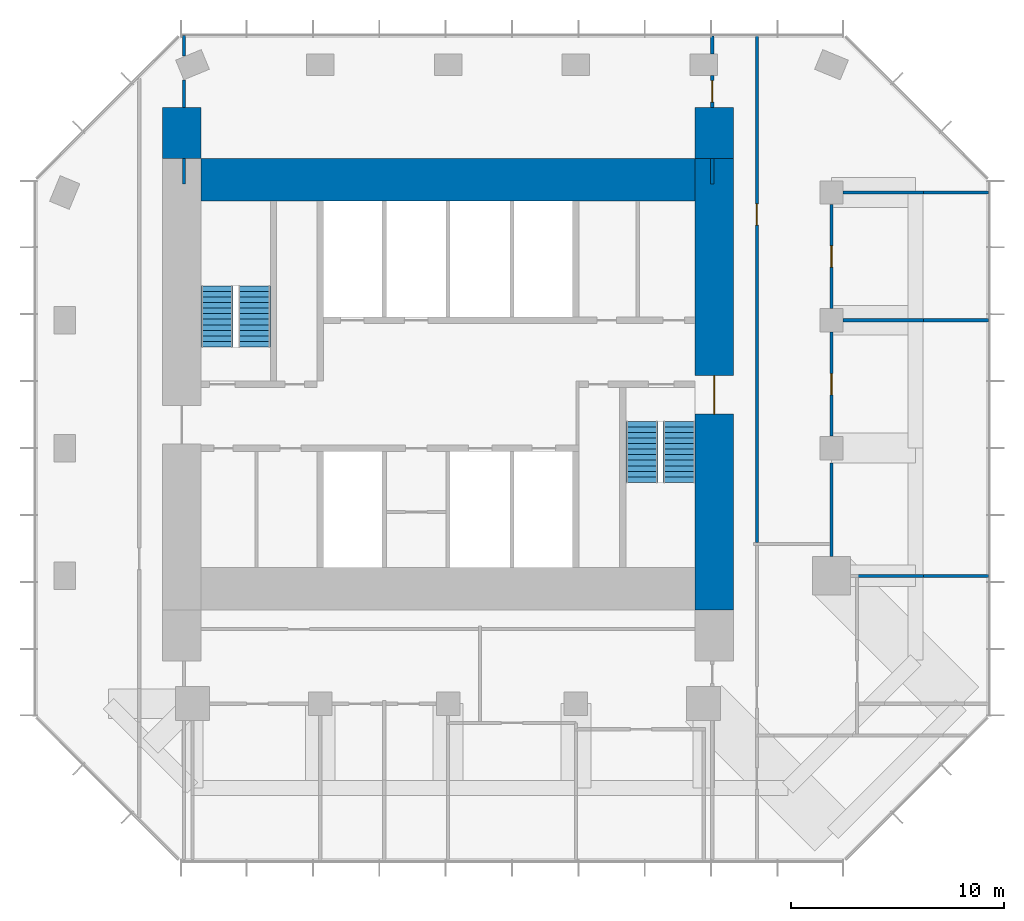
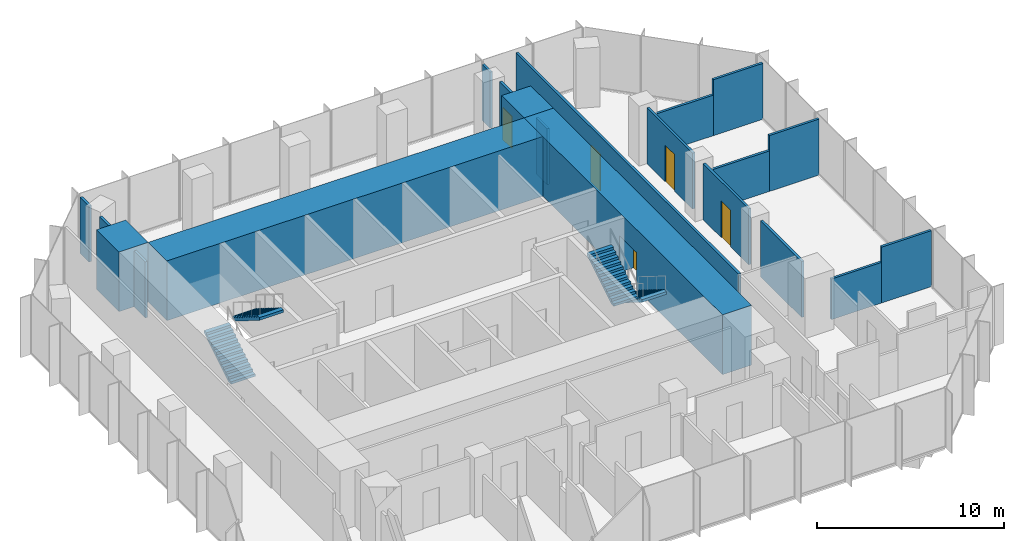
# One storey, part 10 of 11: 20 walls, 5 doors, 4 stair flights, 5 openings, 2 elements without a shape of their own.
"""IFC4 building model written with IfcOpenShell, lengths in metres."""

from ifc_helpers import new_model, si_unit, direction, frame, frame_2d, origin, place, context, subcontext, project, spatial, polyline, rectangle, outline, extrude, material, layer, layer_set, type_object, element, fill, aggregate, save


model = new_model("IFC4")

# Units and contexts
model_context = context("Model", 3, precision=1e-05, world=origin(), true_north=direction((0.0, 1.0)))
body_context = subcontext(model_context, "Body", "Model", "MODEL_VIEW")
ifc_project = project(units=[si_unit("LENGTHUNIT", "METRE"), si_unit("AREAUNIT", "SQUARE_METRE"), si_unit("VOLUMEUNIT", "CUBIC_METRE"), si_unit("PLANEANGLEUNIT", "RADIAN"), si_unit("MASSUNIT", "GRAM", prefix="KILO")], contexts=[model_context])

# Site, building, storey
site_placement = place(None, origin())
site = spatial("IfcSite", under=ifc_project, at=site_placement, CompositionType="ELEMENT")
building_placement = place(site_placement, origin())
building = spatial("IfcBuilding", under=site, at=building_placement, Name="Highveld Stack Headquarters", CompositionType="ELEMENT")
storey_placement = place(building_placement, frame((0.0, 0.0, 276.199951171875)))
storey = spatial("IfcBuildingStorey", under=building, at=storey_placement, Name="L68", CompositionType="ELEMENT", Elevation=276.199951171875)

# Wall, opening, door
ifc_material_1 = material(Name="Concrete C60/75", Category="concrete")
ifc_layer_1 = layer(ifc_material_1, 1.800048828125)
ifc_layer_set_1 = layer_set([ifc_layer_1], Name="Concrete C60/75")
wall_type_1 = type_object("IfcWallType", Name="CORE WALL 1800 C60/75", PredefinedType="SHEAR", material=ifc_layer_set_1)
wall_1_placement = place(storey_placement, frame((18.5, -7.60009765625, 0.0), z_axis=(0.0, 0.0, 1.0), x_axis=(0.0, 1.0, 0.0)))
wall_1 = element("IfcWall", 1, at=wall_1_placement, inside=storey, type_object=wall_type_1, Name="Core wall E L68", PredefinedType="SHEAR", context=body_context, shape_type="SweptSolid", body=[
    extrude(rectangle(XDim=21.2001953125, YDim=1.800048828125, at=frame_2d((10.60009765625, 0.0))), origin(), (0.0, 0.0, 1.0), 3.900146484375),
])
opening_1_placement = place(wall_1_placement, frame((9.199951171875, 0.0, 0.0)))
opening_1 = element("IfcOpeningElement", 2, at=opening_1_placement, cuts=wall_1, Name="Opening L68-02", PredefinedType="OPENING", context=body_context, shape_type="SweptSolid", body=[
    extrude(rectangle(XDim=1.800048828125, YDim=2.39990234375, at=frame_2d((0.89990234375, 1.199951171875))), frame((0.0, 0.909912109375, 0.0), z_axis=(0.0, -1.0, 0.0), x_axis=(1.0, 0.0, 0.0)), (0.0, 0.0, 1.0), 1.820068359375),
])
ifc_material_2 = material(Name="Steel fire door", Category="steel")
door_type_1 = type_object("IfcDoorType", Name="LOBBY FIRE DOOR D4 1800x2400", OperationType="DOUBLE_DOOR_SINGLE_SWING", PredefinedType="DOOR", material=ifc_material_2)
door_1_placement = place(opening_1_placement, origin())
door_1 = element("IfcDoor", 3, at=door_1_placement, inside=storey, type_object=door_type_1, Name="Core east door L68", OperationType="DOUBLE_DOOR_SINGLE_SWING", OverallHeight=2.39990234375, OverallWidth=1.800048828125, PredefinedType="DOOR", context=body_context, shape_type="SweptSolid", body=[
    extrude(rectangle(XDim=1.800048828125, YDim=2.39990234375, at=frame_2d((0.89990234375, 1.199951171875))), frame((0.0, 0.02490234375, 0.0), z_axis=(0.0, -1.0, 0.0), x_axis=(1.0, 0.0, 0.0)), (0.0, 0.0, 1.0), 0.050048828125),
])
fill(opening_1, door_1)

# Walls
ifc_material_3 = material(Name="Concrete C60/75", Category="concrete")
ifc_layer_2 = layer(ifc_material_3, 2.0)
ifc_layer_set_2 = layer_set([ifc_layer_2], Name="Concrete C60/75")
wall_type_2 = type_object("IfcWallType", Name="CORE WALL 2000 C60/75", PredefinedType="SHEAR", material=ifc_layer_set_2)
wall_2_placement = place(storey_placement, frame((-5.60009765625, 12.60009765625, 0.0), z_axis=(0.0, 0.0, 1.0), x_axis=(1.0, 0.0, 0.0)))
element("IfcWall", 4, at=wall_2_placement, inside=storey, type_object=wall_type_2, Name="Core wall N L68", PredefinedType="SHEAR", context=body_context, shape_type="SweptSolid", body=[
    extrude(rectangle(XDim=23.2001953125, YDim=2.0, at=frame_2d((11.60009765625, 0.0))), origin(), (0.0, 0.0, 1.0), 3.900146484375),
])
ifc_material_4 = material(Name="Concrete C60/75", Category="concrete")
ifc_layer_3 = layer(ifc_material_4, 1.800048828125)
ifc_layer_set_3 = layer_set([ifc_layer_3], Name="Concrete C60/75")
wall_type_3 = type_object("IfcWallType", Name="CORE WING WALL 1800 C60/75", PredefinedType="SHEAR", material=ifc_layer_set_3)
for number, where, z_axis, x_axis, name in (
    (5, (-6.5, 13.60009765625, 0.0), (0.0, 0.0, 1.0), (0.0, 1.0, 0.0), "Core wing wall WN L68"),
    (6, (18.5, 13.60009765625, 0.0), (0.0, 0.0, 1.0), (0.0, 1.0, 0.0), "Core wing wall EN L68"),
):
    element("IfcWall", number, at=place(storey_placement, frame(where, z_axis=z_axis, x_axis=x_axis)), inside=storey, type_object=wall_type_3, Name=name, PredefinedType="SHEAR", context=body_context, shape_type="SweptSolid", body=[
        extrude(rectangle(XDim=2.39990234375, YDim=1.800048828125, at=frame_2d((1.199951171875, 0.0))), origin(), (0.0, 0.0, 1.0), 3.900146484375),
    ])
ifc_material_5 = material(Name="Laminated glass in aluminium frame", Category="aluminium")
ifc_layer_4 = layer(ifc_material_5, 0.14990234375)
ifc_layer_set_4 = layer_set([ifc_layer_4], Name="Laminated glass in aluminium frame")
wall_type_4 = type_object("IfcWallType", Name="GLAZED PARTITION 150", PredefinedType="PARTITIONING", material=ifc_layer_set_4)
wall_3_placement = place(storey_placement, frame((24.0, -5.10009765625, 0.0), z_axis=(0.0, 0.0, 1.0), x_axis=(0.0, 1.0, 0.0)))
element("IfcWall", 7, at=wall_3_placement, inside=storey, type_object=wall_type_4, Name="Glazed partition Executive meeting room L68", PredefinedType="PARTITIONING", context=body_context, shape_type="SweptSolid", body=[
    extrude(rectangle(XDim=4.39013671875, YDim=0.14990234375, at=frame_2d((2.195068359375, 0.0))), origin(), (0.0, 0.0, 1.0), 3.650146484375),
])

# Wall, opening, door
wall_4_placement = place(storey_placement, frame((24.0, 0.56005859375, 0.0), z_axis=(0.0, 0.0, 1.0), x_axis=(0.0, 1.0, 0.0)))
wall_4 = element("IfcWall", 8, at=wall_4_placement, inside=storey, type_object=wall_type_4, Name="Glazed partition Executive meeting room L68", PredefinedType="PARTITIONING", context=body_context, shape_type="SweptSolid", body=[
    extrude(rectangle(XDim=4.8798828125, YDim=0.14990234375, at=frame_2d((2.43994140625, 0.0))), origin(), (0.0, 0.0, 1.0), 3.650146484375),
])
opening_2_placement = place(wall_4_placement, frame((1.93994140625, 0.0, 0.0)))
opening_2 = element("IfcOpeningElement", 9, at=opening_2_placement, cuts=wall_4, Name="Opening L68-19", PredefinedType="OPENING", context=body_context, shape_type="SweptSolid", body=[
    extrude(rectangle(XDim=1.0, YDim=2.39990234375, at=frame_2d((0.5, 1.199951171875))), frame((0.0, 0.0849609375, 0.0), z_axis=(0.0, -1.0, 0.0), x_axis=(1.0, 0.0, 0.0)), (0.0, 0.0, 1.0), 0.169921875),
])
ifc_material_6 = material(Name="Timber door, oiled ash", Category="wood")
door_type_2 = type_object("IfcDoorType", Name="ROOM DOOR D11 1000x2400", OperationType="SINGLE_SWING_LEFT", PredefinedType="DOOR", material=ifc_material_6)
door_2_placement = place(opening_2_placement, origin())
door_2 = element("IfcDoor", 10, at=door_2_placement, inside=storey, type_object=door_type_2, Name="Executive meeting room door 1 L68", OperationType="SINGLE_SWING_RIGHT", OverallHeight=2.39990234375, OverallWidth=1.0, PredefinedType="DOOR", context=body_context, shape_type="SweptSolid", body=[
    extrude(rectangle(XDim=1.0, YDim=2.39990234375, at=frame_2d((0.5, 1.199951171875))), frame((0.0, 0.02490234375, 0.0), z_axis=(0.0, -1.0, 0.0), x_axis=(1.0, 0.0, 0.0)), (0.0, 0.0, 1.0), 0.050048828125),
])
fill(opening_2, door_2)

# Walls
ifc_material_7 = material(Name="Gypsum plasterboard on steel studs", Category="steel")
ifc_layer_5 = layer(ifc_material_7, 0.14990234375)
ifc_layer_set_5 = layer_set([ifc_layer_5], Name="Gypsum plasterboard on steel studs")
wall_type_5 = type_object("IfcWallType", Name="PARTITION 150 PLASTERBOARD", PredefinedType="PARTITIONING", material=ifc_layer_set_5)
wall_5_placement = place(storey_placement, frame((25.199951171875, -6.0, 0.0), z_axis=(0.0, 0.0, 1.0), x_axis=(1.0, 0.0, 0.0)))
element("IfcWall", 11, at=wall_5_placement, inside=storey, type_object=wall_type_5, Name="Partition Executive meeting room / Tea kitchen L68", PredefinedType="PARTITIONING", context=body_context, shape_type="SweptSolid", body=[
    extrude(rectangle(XDim=3.110107421875, YDim=0.14990234375, at=frame_2d((1.55517578125, 0.0))), origin(), (0.0, 0.0, 1.0), 2.650146484375),
])
wall_6_placement = place(storey_placement, frame((28.31005859375, -6.0, 0.0), z_axis=(0.0, 0.0, 1.0), x_axis=(1.0, 0.0, 0.0)))
element("IfcWall", 12, at=wall_6_placement, inside=storey, type_object=wall_type_5, Name="Partition Executive meeting room / Tea kitchen L68", PredefinedType="PARTITIONING", context=body_context, shape_type="SweptSolid", body=[
    extrude(rectangle(XDim=3.06494140625, YDim=0.14990234375, at=frame_2d((1.532470703125, 0.0))), origin(), (0.0, 0.0, 1.0), 3.650146484375),
])
wall_7_placement = place(storey_placement, frame((24.550048828125, 6.0, 0.0), z_axis=(0.0, 0.0, 1.0), x_axis=(1.0, 0.0, 0.0)))
element("IfcWall", 13, at=wall_7_placement, inside=storey, type_object=wall_type_5, Name="Partition Executive meeting room / Executive office L68", PredefinedType="PARTITIONING", context=body_context, shape_type="SweptSolid", body=[
    extrude(rectangle(XDim=3.760009765625, YDim=0.14990234375, at=frame_2d((1.8798828125, 0.0))), origin(), (0.0, 0.0, 1.0), 2.650146484375),
])
wall_8_placement = place(storey_placement, frame((28.31005859375, 6.0, 0.0), z_axis=(0.0, 0.0, 1.0), x_axis=(1.0, 0.0, 0.0)))
element("IfcWall", 14, at=wall_8_placement, inside=storey, type_object=wall_type_5, Name="Partition Executive meeting room / Executive office L68", PredefinedType="PARTITIONING", context=body_context, shape_type="SweptSolid", body=[
    extrude(rectangle(XDim=3.06494140625, YDim=0.14990234375, at=frame_2d((1.532470703125, 0.0))), origin(), (0.0, 0.0, 1.0), 3.650146484375),
])
wall_9_placement = place(storey_placement, frame((24.550048828125, 12.0, 0.0), z_axis=(0.0, 0.0, 1.0), x_axis=(1.0, 0.0, 0.0)))
element("IfcWall", 15, at=wall_9_placement, inside=storey, type_object=wall_type_5, Name="Partition Executive office L68", PredefinedType="PARTITIONING", context=body_context, shape_type="SweptSolid", body=[
    extrude(rectangle(XDim=3.760009765625, YDim=0.14990234375, at=frame_2d((1.8798828125, 0.0))), origin(), (0.0, 0.0, 1.0), 2.650146484375),
])
wall_10_placement = place(storey_placement, frame((28.31005859375, 12.0, 0.0), z_axis=(0.0, 0.0, 1.0), x_axis=(1.0, 0.0, 0.0)))
element("IfcWall", 16, at=wall_10_placement, inside=storey, type_object=wall_type_5, Name="Partition Executive office L68", PredefinedType="PARTITIONING", context=body_context, shape_type="SweptSolid", body=[
    extrude(rectangle(XDim=3.06494140625, YDim=0.14990234375, at=frame_2d((1.532470703125, 0.0))), origin(), (0.0, 0.0, 1.0), 3.650146484375),
])

# Wall, opening, door
wall_11_placement = place(storey_placement, frame((24.0, 6.56005859375, 0.0), z_axis=(0.0, 0.0, 1.0), x_axis=(0.0, 1.0, 0.0)))
wall_11 = element("IfcWall", 17, at=wall_11_placement, inside=storey, type_object=wall_type_5, Name="Partition Executive office L68", PredefinedType="PARTITIONING", context=body_context, shape_type="SweptSolid", body=[
    extrude(rectangle(XDim=4.8798828125, YDim=0.14990234375, at=frame_2d((2.43994140625, 0.0))), origin(), (0.0, 0.0, 1.0), 3.650146484375),
])
opening_3_placement = place(wall_11_placement, frame((1.93994140625, 0.0, 0.0)))
opening_3 = element("IfcOpeningElement", 18, at=opening_3_placement, cuts=wall_11, Name="Opening L68-20", PredefinedType="OPENING", context=body_context, shape_type="SweptSolid", body=[
    extrude(rectangle(XDim=1.0, YDim=2.39990234375, at=frame_2d((0.5, 1.199951171875))), frame((0.0, 0.0849609375, 0.0), z_axis=(0.0, -1.0, 0.0), x_axis=(1.0, 0.0, 0.0)), (0.0, 0.0, 1.0), 0.169921875),
])
door_3_placement = place(opening_3_placement, origin())
door_3 = element("IfcDoor", 19, at=door_3_placement, inside=storey, type_object=door_type_2, Name="Executive office door 1 L68", OperationType="SINGLE_SWING_LEFT", OverallHeight=2.39990234375, OverallWidth=1.0, PredefinedType="DOOR", context=body_context, shape_type="SweptSolid", body=[
    extrude(rectangle(XDim=1.0, YDim=2.39990234375, at=frame_2d((0.5, 1.199951171875))), frame((0.0, 0.02490234375, 0.0), z_axis=(0.0, -1.0, 0.0), x_axis=(1.0, 0.0, 0.0)), (0.0, 0.0, 1.0), 0.050048828125),
])
fill(opening_3, door_3)

# Walls
wall_12_placement = place(storey_placement, frame((-6.39990234375, 12.39990234375, 0.0), z_axis=(0.0, 0.0, 1.0), x_axis=(0.0, 1.0, 0.0)))
element("IfcWall", 20, at=wall_12_placement, inside=storey, type_object=wall_type_5, Name="Partition office neighbourhood L68", PredefinedType="PARTITIONING", context=body_context, shape_type="SweptSolid", body=[
    extrude(rectangle(XDim=1.2001953125, YDim=0.14990234375, at=frame_2d((0.60009765625, 0.0))), origin(), (0.0, 0.0, 1.0), 3.650146484375),
])
wall_13_placement = place(storey_placement, frame((-6.39990234375, 16.0, 0.0), z_axis=(0.0, 0.0, 1.0), x_axis=(0.0, 1.0, 0.0)))
element("IfcWall", 21, at=wall_13_placement, inside=storey, type_object=wall_type_5, Name="Partition office neighbourhood L68", PredefinedType="PARTITIONING", context=body_context, shape_type="SweptSolid", body=[
    extrude(rectangle(XDim=1.289306640625, YDim=0.14990234375, at=frame_2d((0.64453125, 0.0))), origin(), (0.0, 0.0, 1.0), 3.650146484375),
])
wall_14_placement = place(storey_placement, frame((-6.39990234375, 18.406494140625, 0.0), z_axis=(0.0, 0.0, 1.0), x_axis=(0.0, 1.0, 0.0)))
element("IfcWall", 22, at=wall_14_placement, inside=storey, type_object=wall_type_5, Name="Partition office neighbourhood L68", PredefinedType="PARTITIONING", context=body_context, shape_type="SweptSolid", body=[
    extrude(rectangle(XDim=0.968505859375, YDim=0.14990234375, at=frame_2d((0.484375, 0.0))), origin(), (0.0, 0.0, 1.0), 3.650146484375),
])
wall_15_placement = place(storey_placement, frame((18.39990234375, 12.39990234375, 0.0), z_axis=(0.0, 0.0, 1.0), x_axis=(0.0, 1.0, 0.0)))
element("IfcWall", 23, at=wall_15_placement, inside=storey, type_object=wall_type_5, Name="Partition office neighbourhood L68", PredefinedType="PARTITIONING", context=body_context, shape_type="SweptSolid", body=[
    extrude(rectangle(XDim=1.2001953125, YDim=0.14990234375, at=frame_2d((0.60009765625, 0.0))), origin(), (0.0, 0.0, 1.0), 3.650146484375),
])

# Wall, opening, door
wall_16_placement = place(storey_placement, frame((18.39990234375, 16.0, 0.0), z_axis=(0.0, 0.0, 1.0), x_axis=(0.0, 1.0, 0.0)))
wall_16 = element("IfcWall", 24, at=wall_16_placement, inside=storey, type_object=wall_type_5, Name="Partition office neighbourhood L68", PredefinedType="PARTITIONING", context=body_context, shape_type="SweptSolid", body=[
    extrude(rectangle(XDim=1.5, YDim=0.14990234375, at=frame_2d((0.75, 0.0))), origin(), (0.0, 0.0, 1.0), 3.650146484375),
])
opening_4_placement = place(wall_16_placement, frame((0.25, 0.0, 0.0)))
opening_4 = element("IfcOpeningElement", 25, at=opening_4_placement, cuts=wall_16, Name="Opening L68-25", PredefinedType="OPENING", context=body_context, shape_type="SweptSolid", body=[
    extrude(rectangle(XDim=1.0, YDim=2.10009765625, at=frame_2d((0.5, 1.050048828125))), frame((0.0, 0.0849609375, 0.0), z_axis=(0.0, -1.0, 0.0), x_axis=(1.0, 0.0, 0.0)), (0.0, 0.0, 1.0), 0.169921875),
])
ifc_material_8 = material(Name="Timber door, oiled ash", Category="wood")
door_type_3 = type_object("IfcDoorType", Name="ROOM DOOR D6 1000x2100", OperationType="SINGLE_SWING_LEFT", PredefinedType="DOOR", material=ifc_material_8)
door_4_placement = place(opening_4_placement, origin())
door_4 = element("IfcDoor", 26, at=door_4_placement, inside=storey, type_object=door_type_3, Name="Office neighbourhood door L68", OperationType="SINGLE_SWING_RIGHT", OverallHeight=2.10009765625, OverallWidth=1.0, PredefinedType="DOOR", context=body_context, shape_type="SweptSolid", body=[
    extrude(rectangle(XDim=1.0, YDim=2.10009765625, at=frame_2d((0.5, 1.050048828125))), frame((0.0, 0.02490234375, 0.0), z_axis=(0.0, -1.0, 0.0), x_axis=(1.0, 0.0, 0.0)), (0.0, 0.0, 1.0), 0.050048828125),
])
fill(opening_4, door_4)

# Wall
wall_17_placement = place(storey_placement, frame((18.39990234375, 18.5, 0.0), z_axis=(0.0, 0.0, 1.0), x_axis=(0.0, 1.0, 0.0)))
element("IfcWall", 27, at=wall_17_placement, inside=storey, type_object=wall_type_5, Name="Partition office neighbourhood L68", PredefinedType="PARTITIONING", context=body_context, shape_type="SweptSolid", body=[
    extrude(rectangle(XDim=0.85009765625, YDim=0.14990234375, at=frame_2d((0.425048828125, 0.0))), origin(), (0.0, 0.0, 1.0), 3.650146484375),
])

# Wall, opening, door
wall_18_placement = place(storey_placement, frame((20.5, -4.425048828125, 0.0), z_axis=(0.0, 0.0, 1.0), x_axis=(0.0, 1.0, 0.0)))
wall_18 = element("IfcWall", 28, at=wall_18_placement, inside=storey, type_object=wall_type_5, Name="Partition office neighbourhood L68", PredefinedType="PARTITIONING", context=body_context, shape_type="SweptSolid", body=[
    extrude(rectangle(XDim=23.800048828125, YDim=0.14990234375, at=frame_2d((11.89990234375, 0.0))), origin(), (0.0, 0.0, 1.0), 3.650146484375),
])
opening_5_placement = place(wall_18_placement, frame((14.89501953125, 0.0, 0.0)))
opening_5 = element("IfcOpeningElement", 29, at=opening_5_placement, cuts=wall_18, Name="Opening L68-24", PredefinedType="OPENING", context=body_context, shape_type="SweptSolid", body=[
    extrude(rectangle(XDim=1.0, YDim=2.39990234375, at=frame_2d((0.5, 1.199951171875))), frame((0.0, 0.0849609375, 0.0), z_axis=(0.0, -1.0, 0.0), x_axis=(1.0, 0.0, 0.0)), (0.0, 0.0, 1.0), 0.169921875),
])
door_5_placement = place(opening_5_placement, origin())
door_5 = element("IfcDoor", 30, at=door_5_placement, inside=storey, type_object=door_type_2, Name="Office neighbourhood door L68", OperationType="SINGLE_SWING_RIGHT", OverallHeight=2.39990234375, OverallWidth=1.0, PredefinedType="DOOR", context=body_context, shape_type="SweptSolid", body=[
    extrude(rectangle(XDim=1.0, YDim=2.39990234375, at=frame_2d((0.5, 1.199951171875))), frame((0.0, 0.02490234375, 0.0), z_axis=(0.0, -1.0, 0.0), x_axis=(1.0, 0.0, 0.0)), (0.0, 0.0, 1.0), 0.050048828125),
])
fill(opening_5, door_5)

# Stair, stair flights
ifc_material_9 = material(Name="Concrete C40/50, precast", Category="concrete")
stair_type_1 = type_object("IfcStairType", Name="STAIR S1 HALF TURN 1500", PredefinedType="HALF_TURN_STAIR", material=ifc_material_9)
stair_1_placement = place(storey_placement, origin())
stair_1 = element("IfcStair", 31, at=stair_1_placement, inside=storey, type_object=stair_type_1, Name="Stair S1 L68", PredefinedType="HALF_TURN_STAIR")
ifc_material_10 = material(Name="Concrete C40/50, precast", Category="concrete")
stair_flight_type = type_object("IfcStairFlightType", Name="STAIR FLIGHT 1500 PRECAST", PredefinedType="STRAIGHT", material=ifc_material_10)
stair_flight_1_placement = place(storey_placement, frame((-4.85009765625, 4.75, 0.0), z_axis=(0.0, 0.0, 1.0), x_axis=(0.0, 1.0, 0.0)))
stair_flight_1 = element("IfcStairFlight", 32, at=stair_flight_1_placement, type_object=stair_flight_type, Name="S1 flight 1", NumberOfRisers=12, NumberOfTreads=11, PredefinedType="STRAIGHT", RiserHeight=0.1625, TreadLength=0.26, context=body_context, shape_type="SweptSolid", body=[
    extrude(outline(polyline([(0.0, 0.0), (0.0, 0.16259765625), (0.260009765625, 0.16259765625), (0.260009765625, 0.324951171875), (0.52001953125, 0.324951171875), (0.52001953125, 0.487548828125), (0.780029296875, 0.487548828125), (0.780029296875, 0.64990234375), (1.0400390625, 0.64990234375), (1.0400390625, 0.8125), (1.300048828125, 0.8125), (1.300048828125, 0.97509765625), (1.56005859375, 0.97509765625), (1.56005859375, 1.137451171875), (1.820068359375, 1.137451171875), (1.820068359375, 1.300048828125), (2.080078125, 1.300048828125), (2.080078125, 1.46240234375), (2.340087890625, 1.46240234375), (2.340087890625, 1.625), (2.60009765625, 1.625), (2.60009765625, 1.78759765625), (2.860107421875, 1.78759765625), (2.860107421875, 1.949951171875), (2.860107421875, 1.61083984375), (0.28271484375, 0.0), (0.0, 0.0)])), frame((0.0, 0.75, 0.0), z_axis=(0.0, -1.0, 0.0), x_axis=(1.0, 0.0, 0.0)), (0.0, 0.0, 1.0), 1.5),
])
stair_flight_2_placement = place(storey_placement, frame((-3.10009765625, 7.610107421875, 1.949951171875), z_axis=(0.0, 0.0, 1.0), x_axis=(0.0, -1.0, 0.0)))
stair_flight_2 = element("IfcStairFlight", 33, at=stair_flight_2_placement, type_object=stair_flight_type, Name="S1 flight 2", NumberOfRisers=12, NumberOfTreads=11, PredefinedType="STRAIGHT", RiserHeight=0.1625, TreadLength=0.26, context=body_context, shape_type="SweptSolid", body=[
    extrude(outline(polyline([(0.0, 0.0), (0.0, 0.16259765625), (0.260009765625, 0.16259765625), (0.260009765625, 0.324951171875), (0.52001953125, 0.324951171875), (0.52001953125, 0.487548828125), (0.780029296875, 0.487548828125), (0.780029296875, 0.64990234375), (1.0400390625, 0.64990234375), (1.0400390625, 0.8125), (1.300048828125, 0.8125), (1.300048828125, 0.97509765625), (1.56005859375, 0.97509765625), (1.56005859375, 1.137451171875), (1.820068359375, 1.137451171875), (1.820068359375, 1.300048828125), (2.080078125, 1.300048828125), (2.080078125, 1.46240234375), (2.340087890625, 1.46240234375), (2.340087890625, 1.625), (2.60009765625, 1.625), (2.60009765625, 1.78759765625), (2.860107421875, 1.78759765625), (2.860107421875, 1.949951171875), (2.860107421875, 1.61083984375), (0.28271484375, 0.0), (0.0, 0.0)])), frame((0.0, 0.75, 0.0), z_axis=(0.0, -1.0, 0.0), x_axis=(1.0, 0.0, 0.0)), (0.0, 0.0, 1.0), 1.5),
])
aggregate(stair_1, [stair_flight_1, stair_flight_2])

ifc_material_11 = material(Name="Concrete C40/50, precast", Category="concrete")
stair_type_2 = type_object("IfcStairType", Name="STAIR S2 HALF TURN 1500", PredefinedType="HALF_TURN_STAIR", material=ifc_material_11)
stair_2_placement = place(storey_placement, origin())
stair_2 = element("IfcStair", 34, at=stair_2_placement, inside=storey, type_object=stair_type_2, Name="Stair S2 L68", PredefinedType="HALF_TURN_STAIR")
stair_flight_3_placement = place(storey_placement, frame((16.85009765625, 1.25, 0.0), z_axis=(0.0, 0.0, 1.0), x_axis=(0.0, -1.0, 0.0)))
stair_flight_3 = element("IfcStairFlight", 35, at=stair_flight_3_placement, type_object=stair_flight_type, Name="S2 flight 1", NumberOfRisers=12, NumberOfTreads=11, PredefinedType="STRAIGHT", RiserHeight=0.1625, TreadLength=0.26, context=body_context, shape_type="SweptSolid", body=[
    extrude(outline(polyline([(0.0, 0.0), (0.0, 0.16259765625), (0.260009765625, 0.16259765625), (0.260009765625, 0.324951171875), (0.52001953125, 0.324951171875), (0.52001953125, 0.487548828125), (0.780029296875, 0.487548828125), (0.780029296875, 0.64990234375), (1.0400390625, 0.64990234375), (1.0400390625, 0.8125), (1.300048828125, 0.8125), (1.300048828125, 0.97509765625), (1.56005859375, 0.97509765625), (1.56005859375, 1.137451171875), (1.820068359375, 1.137451171875), (1.820068359375, 1.300048828125), (2.080078125, 1.300048828125), (2.080078125, 1.46240234375), (2.340087890625, 1.46240234375), (2.340087890625, 1.625), (2.60009765625, 1.625), (2.60009765625, 1.78759765625), (2.860107421875, 1.78759765625), (2.860107421875, 1.949951171875), (2.860107421875, 1.61083984375), (0.28271484375, 0.0), (0.0, 0.0)])), frame((0.0, 0.75, 0.0), z_axis=(0.0, -1.0, 0.0), x_axis=(1.0, 0.0, 0.0)), (0.0, 0.0, 1.0), 1.5),
])
stair_flight_4_placement = place(storey_placement, frame((15.10009765625, -1.610107421875, 1.949951171875), z_axis=(0.0, 0.0, 1.0), x_axis=(0.0, 1.0, 0.0)))
stair_flight_4 = element("IfcStairFlight", 36, at=stair_flight_4_placement, type_object=stair_flight_type, Name="S2 flight 2", NumberOfRisers=12, NumberOfTreads=11, PredefinedType="STRAIGHT", RiserHeight=0.1625, TreadLength=0.26, context=body_context, shape_type="SweptSolid", body=[
    extrude(outline(polyline([(0.0, 0.0), (0.0, 0.16259765625), (0.260009765625, 0.16259765625), (0.260009765625, 0.324951171875), (0.52001953125, 0.324951171875), (0.52001953125, 0.487548828125), (0.780029296875, 0.487548828125), (0.780029296875, 0.64990234375), (1.0400390625, 0.64990234375), (1.0400390625, 0.8125), (1.300048828125, 0.8125), (1.300048828125, 0.97509765625), (1.56005859375, 0.97509765625), (1.56005859375, 1.137451171875), (1.820068359375, 1.137451171875), (1.820068359375, 1.300048828125), (2.080078125, 1.300048828125), (2.080078125, 1.46240234375), (2.340087890625, 1.46240234375), (2.340087890625, 1.625), (2.60009765625, 1.625), (2.60009765625, 1.78759765625), (2.860107421875, 1.78759765625), (2.860107421875, 1.949951171875), (2.860107421875, 1.61083984375), (0.28271484375, 0.0), (0.0, 0.0)])), frame((0.0, 0.75, 0.0), z_axis=(0.0, -1.0, 0.0), x_axis=(1.0, 0.0, 0.0)), (0.0, 0.0, 1.0), 1.5),
])
aggregate(stair_2, [stair_flight_3, stair_flight_4])

save(model, "model.ifc")
